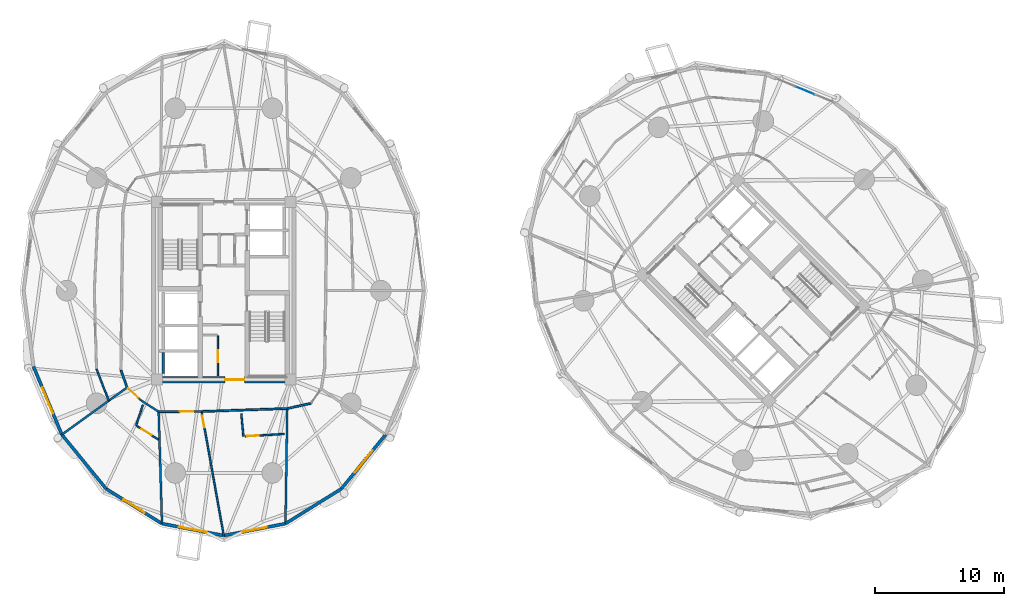
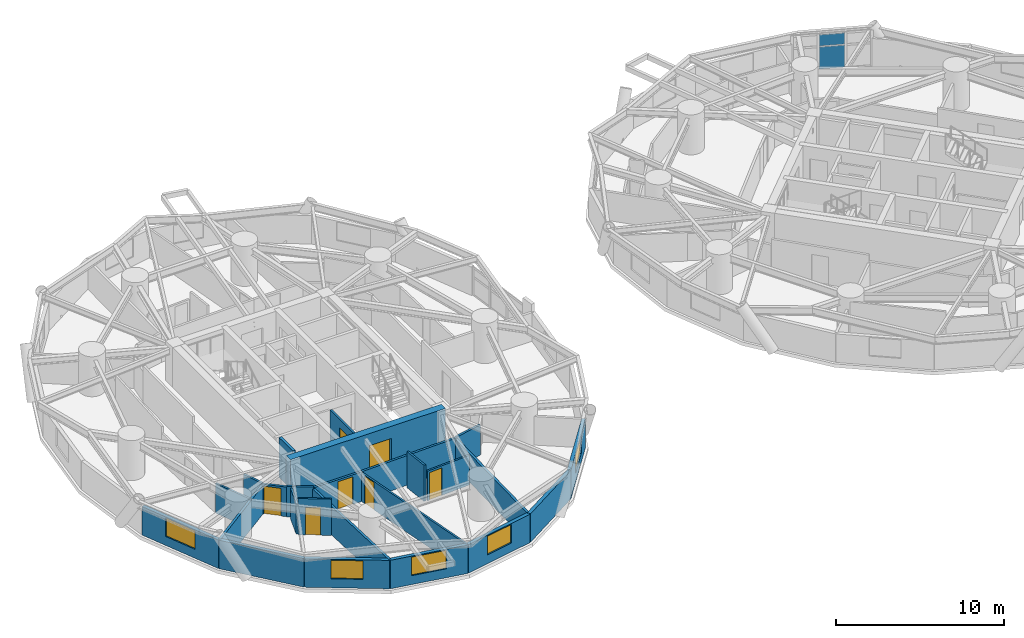
# One storey, part 9 of 18: 25 walls, 7 doors, 5 windows, 2 plates, 12 openings, 1 element without a shape of its own.
"""IFC4 building model written with IfcOpenShell, lengths in metres."""

from ifc_helpers import new_model, si_unit, direction, frame, frame_2d, origin, origin_2d, place, context, subcontext, project, spatial, rectangle, extrude, source, transform, mapped, material, layer, layer_set, type_object, element, fill, aggregate, save


model = new_model("IFC4")

# Units and contexts
model_context = context("Model", 3, precision=1e-05, world=origin(), true_north=direction((0.0, 1.0)))
body_context = subcontext(model_context, "Body", "Model", "MODEL_VIEW")
ifc_project = project(units=[si_unit("LENGTHUNIT", "METRE"), si_unit("AREAUNIT", "SQUARE_METRE"), si_unit("VOLUMEUNIT", "CUBIC_METRE"), si_unit("PLANEANGLEUNIT", "RADIAN"), si_unit("MASSUNIT", "GRAM", prefix="KILO")], contexts=[model_context])

# Site, building, storey
site_placement = place(None, origin())
site = spatial("IfcSite", under=ifc_project, at=site_placement, CompositionType="ELEMENT")
building_placement = place(site_placement, origin())
building = spatial("IfcBuilding", under=site, at=building_placement, Name="Cununo Teusaquillo Station Towers", CompositionType="ELEMENT")
storey_placement = place(building_placement, frame((0.0, 0.0, 45.280029296875)))
storey = spatial("IfcBuildingStorey", under=building, at=storey_placement, Name="L13", CompositionType="ELEMENT", Elevation=45.280029296875)

# Curtain wall, plates
ifc_material_1 = material(Name="Operable acoustic tinted low-E double glazing", Category="glass")
ifc_layer_1 = layer(ifc_material_1, 0.179931640625)
ifc_layer_set_1 = layer_set([ifc_layer_1], Name="Operable acoustic tinted low-E double glazing")
curtain_wall_type = type_object("IfcCurtainWallType", Name="CW-SYS-03", PredefinedType="USERDEFINED", material=ifc_layer_set_1)
curtain_wall_placement = place(storey_placement, origin())
curtain_wall = element("IfcCurtainWall", 1, at=curtain_wall_placement, inside=storey, type_object=curtain_wall_type, Name="L13 Tower B Facade Curtain Wall C01", ObjectType="OPERABLE GLAZING", PredefinedType="USERDEFINED")
ifc_material_2 = material(Name="Operable acoustic tinted low-E double glazing", Category="glass")
ifc_layer_2 = layer(ifc_material_2, 0.031982421875)
ifc_layer_set_2 = layer_set([ifc_layer_2], Name="Operable acoustic tinted low-E double glazing")
plate_type = type_object("IfcPlateType", Name="CWP-OPER-32", PredefinedType="CURTAIN_PANEL", material=ifc_layer_set_2)
shared_shape_1 = source(origin(), body_context, "Body", "SweptSolid", [
    extrude(rectangle(XDim=1.555908203125, YDim=0.031982421875, at=origin_2d()), origin(), (0.0, 0.0, 1.0), 1.60791015625),
])
plate_1_placement = place(storey_placement, frame((61.52294921875, 39.99755859375, 0.070068359375), z_axis=(0.0, 0.0, 1.0), x_axis=(0.924552379146, -0.381054980568, 0.0)))
plate_1 = element("IfcPlate", 2, at=plate_1_placement, type_object=plate_type, Name="CW-03 panel 2.1", PredefinedType="CURTAIN_PANEL", context=body_context, shape_type="MappedRepresentation", body=[
    mapped(shared_shape_1, transform((0.0, 0.0, 0.0), x_axis=(1.0, 0.0, 0.0), y_axis=(0.0, 1.0, 0.0), z_axis=(0.0, 0.0, 1.0), scale=1.0)),
])
shared_shape_2 = source(origin(), body_context, "Body", "SweptSolid", [
    extrude(rectangle(XDim=1.555908203125, YDim=0.031982421875, at=origin_2d()), origin(), (0.0, 0.0, 1.0), 0.81689453125),
])
plate_2_placement = place(storey_placement, frame((61.52294921875, 39.99755859375, 1.748046875), z_axis=(0.0, 0.0, 1.0), x_axis=(0.924552379146, -0.381054980568, 0.0)))
plate_2 = element("IfcPlate", 3, at=plate_2_placement, type_object=plate_type, Name="CW-03 panel 2.2", PredefinedType="CURTAIN_PANEL", context=body_context, shape_type="MappedRepresentation", body=[
    mapped(shared_shape_2, transform((0.0, 0.0, 0.0), x_axis=(1.0, 0.0, 0.0), y_axis=(0.0, 1.0, 0.0), z_axis=(0.0, 0.0, 1.0), scale=1.0)),
])
aggregate(curtain_wall, [plate_1, plate_2])

# Wall
ifc_material_3 = material(Name="Concrete C50/60", Category="concrete")
ifc_layer_3 = layer(ifc_material_3, 0.199951171875)
ifc_layer_set_3 = layer_set([ifc_layer_3], Name="Concrete C50/60")
wall_type_1 = type_object("IfcWallType", Name="WL-CORE-200", PredefinedType="SHEAR", material=ifc_layer_set_3)
wall_1_placement = place(storey_placement, frame((11.820068359375, 18.070068359375, 0.0), z_axis=(0.0, 0.0, 1.0), x_axis=(0.0, 1.0, 0.0)))
element("IfcWall", 4, at=wall_1_placement, inside=storey, type_object=wall_type_1, Name="L13 Tower A High-Rise Lift 1 Shaft Rear Shear Wall", PredefinedType="SHEAR", context=body_context, shape_type="SweptSolid", body=[
    extrude(rectangle(XDim=1.635009765625, YDim=0.199951171875, at=frame_2d((0.8173828125, 0.0))), origin(), (0.0, 0.0, 1.0), 2.909912109375),
])

# Wall, opening, door
ifc_material_4 = material(Name="Concrete C60/75", Category="concrete")
ifc_layer_4 = layer(ifc_material_4, 0.5)
ifc_layer_set_4 = layer_set([ifc_layer_4], Name="Concrete C60/75")
wall_type_2 = type_object("IfcWallType", Name="WL-CORE-500", PredefinedType="SHEAR", material=ifc_layer_set_4)
wall_2_placement = place(storey_placement, frame((11.14990234375, 17.60009765625, 0.0), z_axis=(0.0, 0.0, 1.0), x_axis=(1.0, 0.0, 0.0)))
wall_2 = element("IfcWall", 5, at=wall_2_placement, inside=storey, type_object=wall_type_2, Name="L13 Tower A Core Shear Wall S", PredefinedType="SHEAR", context=body_context, shape_type="SweptSolid", body=[
    extrude(rectangle(XDim=10.7001953125, YDim=0.5, at=frame_2d((5.35009765625, 0.0))), origin(), (0.0, 0.0, 1.0), 2.909912109375),
])
shared_shape_3 = source(origin(), body_context, "Body", "SweptSolid", [
    extrude(rectangle(XDim=1.5, YDim=2.02001953125, at=frame_2d((0.75, 1.010009765625))), frame((0.0, 0.260009765625, 0.0), z_axis=(0.0, -1.0, 0.0), x_axis=(1.0, 0.0, 0.0)), (0.0, 0.0, 1.0), 0.52001953125),
])
opening_1_placement = place(wall_2_placement, frame((5.449951171875, 0.0, 0.0)))
opening_1 = element("IfcOpeningElement", 6, at=opening_1_placement, cuts=wall_2, Name="Opening D-LB1", PredefinedType="OPENING", context=body_context, shape_type="MappedRepresentation", body=[
    mapped(shared_shape_3, transform((0.0, 0.0, 0.0), x_axis=(1.0, 0.0, 0.0), y_axis=(0.0, 1.0, 0.0), z_axis=(0.0, 0.0, 1.0), scale=1.0)),
])
ifc_material_5 = material(Name="Galvanised fire-rated hollow steel door assembly", Category="steel")
door_type_1 = type_object("IfcDoorType", Name="DR-LOBBY-1500", OperationType="DOUBLE_DOOR_SINGLE_SWING", PredefinedType="DOOR", material=ifc_material_5)
shared_shape_4 = source(origin(), body_context, "Body", "SweptSolid", [
    extrude(rectangle(XDim=1.5, YDim=2.02001953125, at=frame_2d((0.75, 1.010009765625))), frame((0.0, 0.02490234375, 0.0), z_axis=(0.0, -1.0, 0.0), x_axis=(1.0, 0.0, 0.0)), (0.0, 0.0, 1.0), 0.050048828125),
])
door_1_placement = place(opening_1_placement, origin())
door_1 = element("IfcDoor", 7, at=door_1_placement, inside=storey, type_object=door_type_1, Name="L13 Tower A South Core Lift Lobby Door", OperationType="DOUBLE_DOOR_SINGLE_SWING", OverallHeight=2.02001953125, OverallWidth=1.5, PredefinedType="DOOR", context=body_context, shape_type="MappedRepresentation", body=[
    mapped(shared_shape_4, transform((0.0, 0.0, 0.0), x_axis=(1.0, 0.0, 0.0), y_axis=(0.0, 1.0, 0.0), z_axis=(0.0, 0.0, 1.0), scale=1.0)),
])
fill(opening_1, door_1)

# Wall, opening, window
ifc_material_6 = material(Name="Precast concrete C40/50", Category="concrete")
ifc_layer_5 = layer(ifc_material_6, 0.239990234375)
ifc_layer_set_5 = layer_set([ifc_layer_5], Name="Precast concrete C40/50")
wall_type_3 = type_object("IfcWallType", Name="WL-EXT-240", PredefinedType="SOLIDWALL", material=ifc_layer_set_5)
wall_3_placement = place(storey_placement, frame((3.9609375, 13.349609375, 0.0), z_axis=(0.0, 0.0, 1.0), x_axis=(-0.38430970593, 0.923204229804, 0.0)))
wall_3 = element("IfcWall", 8, at=wall_3_placement, inside=storey, type_object=wall_type_3, Name="L13 Tower A Exterior Facade Wall C11", PredefinedType="SOLIDWALL", context=body_context, shape_type="SweptSolid", body=[
    extrude(rectangle(XDim=5.728271484375, YDim=0.239990234375, at=frame_2d((2.8642578125, 0.0))), origin(), (0.0, 0.0, 1.0), 2.072998046875),
])
shared_shape_5 = source(origin(), body_context, "Body", "SweptSolid", [
    extrude(rectangle(XDim=2.199951171875, YDim=1.35009765625, at=frame_2d((1.10009765625, 0.675048828125))), frame((0.0, 0.1298828125, 0.0), z_axis=(0.0, -1.0, 0.0), x_axis=(1.0, 0.0, 0.0)), (0.0, 0.0, 1.0), 0.260009765625),
])
opening_2_placement = place(wall_3_placement, frame((1.763916015625, 0.0, 0.64990234375)))
opening_2 = element("IfcOpeningElement", 9, at=opening_2_placement, cuts=wall_3, Name="Opening WN-01", PredefinedType="OPENING", context=body_context, shape_type="MappedRepresentation", body=[
    mapped(shared_shape_5, transform((0.0, 0.0, 0.0), x_axis=(1.0, 0.0, 0.0), y_axis=(0.0, 1.0, 0.0), z_axis=(0.0, 0.0, 1.0), scale=1.0)),
])
ifc_material_7 = material(Name="Ceramic-fritted dark low-E double glazing", Category="glass")
window_type_1 = type_object("IfcWindowType", Name="WIN-FRIT-2200", PartitioningType="DOUBLE_PANEL_VERTICAL", PredefinedType="WINDOW", material=ifc_material_7)
shared_shape_6 = source(origin(), body_context, "Body", "SweptSolid", [
    extrude(rectangle(XDim=2.199951171875, YDim=1.35009765625, at=frame_2d((1.10009765625, 0.675048828125))), frame((0.0, 0.030029296875, 0.0), z_axis=(0.0, -1.0, 0.0), x_axis=(1.0, 0.0, 0.0)), (0.0, 0.0, 1.0), 0.06005859375),
])
window_1_placement = place(opening_2_placement, origin())
window_1 = element("IfcWindow", 10, at=window_1_placement, inside=storey, type_object=window_type_1, Name="L13 Tower A Facade Window C11", OverallHeight=1.35009765625, OverallWidth=2.199951171875, PartitioningType="DOUBLE_PANEL_VERTICAL", PredefinedType="WINDOW", context=body_context, shape_type="MappedRepresentation", body=[
    mapped(shared_shape_6, transform((0.0, 0.0, 0.0), x_axis=(1.0, 0.0, 0.0), y_axis=(0.0, 1.0, 0.0), z_axis=(0.0, 0.0, 1.0), scale=1.0)),
])
fill(opening_2, window_1)

# Wall
wall_4_placement = place(storey_placement, frame((7.389892578125, 9.15283203125, 0.0), z_axis=(0.0, 0.0, 1.0), x_axis=(-0.632710215588, 0.774388651189, 0.0)))
element("IfcWall", 11, at=wall_4_placement, inside=storey, type_object=wall_type_3, Name="L13 Tower A Exterior Facade Wall C12", PredefinedType="SOLIDWALL", context=body_context, shape_type="SweptSolid", body=[
    extrude(rectangle(XDim=5.41943359375, YDim=0.239990234375, at=frame_2d((2.709716796875, 0.0))), origin(), (0.0, 0.0, 1.0), 2.072998046875),
])

# Wall, opening, window
wall_5_placement = place(storey_placement, frame((11.71044921875, 6.45849609375, 0.0), z_axis=(0.0, 0.0, 1.0), x_axis=(-0.848528534887, 0.529149624853, 0.0)))
wall_5 = element("IfcWall", 12, at=wall_5_placement, inside=storey, type_object=wall_type_3, Name="L13 Tower A Exterior Facade Wall C13", PredefinedType="SOLIDWALL", context=body_context, shape_type="SweptSolid", body=[
    extrude(rectangle(XDim=5.091796875, YDim=0.239990234375, at=frame_2d((2.5458984375, 0.0))), origin(), (0.0, 0.0, 1.0), 2.072998046875),
])
shared_shape_7 = source(origin(), body_context, "Body", "SweptSolid", [
    extrude(rectangle(XDim=1.89990234375, YDim=1.35009765625, at=frame_2d((0.949951171875, 0.675048828125))), frame((0.0, 0.1298828125, 0.0), z_axis=(0.0, -1.0, 0.0), x_axis=(1.0, 0.0, 0.0)), (0.0, 0.0, 1.0), 0.260009765625),
])
opening_3_placement = place(wall_5_placement, frame((1.595947265625, 0.0, 0.64990234375)))
opening_3 = element("IfcOpeningElement", 13, at=opening_3_placement, cuts=wall_5, Name="Opening WN-02", PredefinedType="OPENING", context=body_context, shape_type="MappedRepresentation", body=[
    mapped(shared_shape_7, transform((0.0, 0.0, 0.0), x_axis=(1.0, 0.0, 0.0), y_axis=(0.0, 1.0, 0.0), z_axis=(0.0, 0.0, 1.0), scale=1.0)),
])
ifc_material_8 = material(Name="Operable acoustic tinted low-E double glazing", Category="glass")
window_type_2 = type_object("IfcWindowType", Name="WIN-OPER-1900", PartitioningType="DOUBLE_PANEL_VERTICAL", PredefinedType="WINDOW", material=ifc_material_8)
shared_shape_8 = source(origin(), body_context, "Body", "SweptSolid", [
    extrude(rectangle(XDim=1.89990234375, YDim=1.35009765625, at=frame_2d((0.949951171875, 0.675048828125))), frame((0.0, 0.030029296875, 0.0), z_axis=(0.0, -1.0, 0.0), x_axis=(1.0, 0.0, 0.0)), (0.0, 0.0, 1.0), 0.06005859375),
])
window_2_placement = place(opening_3_placement, origin())
window_2 = element("IfcWindow", 14, at=window_2_placement, inside=storey, type_object=window_type_2, Name="L13 Tower A Facade Window C13", OverallHeight=1.35009765625, OverallWidth=1.89990234375, PartitioningType="DOUBLE_PANEL_VERTICAL", PredefinedType="WINDOW", context=body_context, shape_type="MappedRepresentation", body=[
    mapped(shared_shape_8, transform((0.0, 0.0, 0.0), x_axis=(1.0, 0.0, 0.0), y_axis=(0.0, 1.0, 0.0), z_axis=(0.0, 0.0, 1.0), scale=1.0)),
])
fill(opening_3, window_2)

wall_6_placement = place(storey_placement, frame((16.5, 5.530029296875, 0.0), z_axis=(0.0, 0.0, 1.0), x_axis=(-0.981724094622, 0.190309752872, 0.0)))
wall_6 = element("IfcWall", 15, at=wall_6_placement, inside=storey, type_object=wall_type_3, Name="L13 Tower A Exterior Facade Wall C14", PredefinedType="SOLIDWALL", context=body_context, shape_type="SweptSolid", body=[
    extrude(rectangle(XDim=4.878662109375, YDim=0.239990234375, at=frame_2d((2.439453125, 0.0))), origin(), (0.0, 0.0, 1.0), 2.072998046875),
])
opening_4_placement = place(wall_6_placement, frame((1.339111328125, 0.0, 0.64990234375)))
opening_4 = element("IfcOpeningElement", 16, at=opening_4_placement, cuts=wall_6, Name="Opening WN-01", PredefinedType="OPENING", context=body_context, shape_type="MappedRepresentation", body=[
    mapped(shared_shape_5, transform((0.0, 0.0, 0.0), x_axis=(1.0, 0.0, 0.0), y_axis=(0.0, 1.0, 0.0), z_axis=(0.0, 0.0, 1.0), scale=1.0)),
])
window_3_placement = place(opening_4_placement, origin())
window_3 = element("IfcWindow", 17, at=window_3_placement, inside=storey, type_object=window_type_1, Name="L13 Tower A Facade Window C14", OverallHeight=1.35009765625, OverallWidth=2.199951171875, PartitioningType="DOUBLE_PANEL_VERTICAL", PredefinedType="WINDOW", context=body_context, shape_type="MappedRepresentation", body=[
    mapped(shared_shape_6, transform((0.0, 0.0, 0.0), x_axis=(1.0, 0.0, 0.0), y_axis=(0.0, 1.0, 0.0), z_axis=(0.0, 0.0, 1.0), scale=1.0)),
])
fill(opening_4, window_3)

wall_7_placement = place(storey_placement, frame((21.28955078125, 6.45849609375, 0.0), z_axis=(0.0, 0.0, 1.0), x_axis=(-0.981724094622, -0.190309752872, 0.0)))
wall_7 = element("IfcWall", 18, at=wall_7_placement, inside=storey, type_object=wall_type_3, Name="L13 Tower A Exterior Facade Wall C15", PredefinedType="SOLIDWALL", context=body_context, shape_type="SweptSolid", body=[
    extrude(rectangle(XDim=4.878662109375, YDim=0.239990234375, at=frame_2d((2.439453125, 0.0))), origin(), (0.0, 0.0, 1.0), 2.072998046875),
])
opening_5_placement = place(wall_7_placement, frame((1.489013671875, 0.0, 0.64990234375)))
opening_5 = element("IfcOpeningElement", 19, at=opening_5_placement, cuts=wall_7, Name="Opening WN-02", PredefinedType="OPENING", context=body_context, shape_type="MappedRepresentation", body=[
    mapped(shared_shape_7, transform((0.0, 0.0, 0.0), x_axis=(1.0, 0.0, 0.0), y_axis=(0.0, 1.0, 0.0), z_axis=(0.0, 0.0, 1.0), scale=1.0)),
])
window_4_placement = place(opening_5_placement, origin())
window_4 = element("IfcWindow", 20, at=window_4_placement, inside=storey, type_object=window_type_2, Name="L13 Tower A Facade Window C15", OverallHeight=1.35009765625, OverallWidth=1.89990234375, PartitioningType="DOUBLE_PANEL_VERTICAL", PredefinedType="WINDOW", context=body_context, shape_type="MappedRepresentation", body=[
    mapped(shared_shape_8, transform((0.0, 0.0, 0.0), x_axis=(1.0, 0.0, 0.0), y_axis=(0.0, 1.0, 0.0), z_axis=(0.0, 0.0, 1.0), scale=1.0)),
])
fill(opening_5, window_4)

# Wall
wall_8_placement = place(storey_placement, frame((25.610107421875, 9.15283203125, 0.0), z_axis=(0.0, 0.0, 1.0), x_axis=(-0.848528534887, -0.529149624853, 0.0)))
element("IfcWall", 21, at=wall_8_placement, inside=storey, type_object=wall_type_3, Name="L13 Tower A Exterior Facade Wall C16", PredefinedType="SOLIDWALL", context=body_context, shape_type="SweptSolid", body=[
    extrude(rectangle(XDim=5.091796875, YDim=0.239990234375, at=frame_2d((2.5458984375, 0.0))), origin(), (0.0, 0.0, 1.0), 2.072998046875),
])

# Wall, opening, window
wall_9_placement = place(storey_placement, frame((29.0390625, 13.349609375, 0.0), z_axis=(0.0, 0.0, 1.0), x_axis=(-0.632710215588, -0.774388651189, 0.0)))
wall_9 = element("IfcWall", 22, at=wall_9_placement, inside=storey, type_object=wall_type_3, Name="L13 Tower A Exterior Facade Wall C17", PredefinedType="SOLIDWALL", context=body_context, shape_type="SweptSolid", body=[
    extrude(rectangle(XDim=5.41943359375, YDim=0.239990234375, at=frame_2d((2.709716796875, 0.0))), origin(), (0.0, 0.0, 1.0), 2.072998046875),
])
opening_6_placement = place(wall_9_placement, frame((1.610107421875, 0.0, 0.64990234375)))
opening_6 = element("IfcOpeningElement", 23, at=opening_6_placement, cuts=wall_9, Name="Opening WN-01", PredefinedType="OPENING", context=body_context, shape_type="MappedRepresentation", body=[
    mapped(shared_shape_5, transform((0.0, 0.0, 0.0), x_axis=(1.0, 0.0, 0.0), y_axis=(0.0, 1.0, 0.0), z_axis=(0.0, 0.0, 1.0), scale=1.0)),
])
window_5_placement = place(opening_6_placement, origin())
window_5 = element("IfcWindow", 24, at=window_5_placement, inside=storey, type_object=window_type_1, Name="L13 Tower A Facade Window C17", OverallHeight=1.35009765625, OverallWidth=2.199951171875, PartitioningType="DOUBLE_PANEL_VERTICAL", PredefinedType="WINDOW", context=body_context, shape_type="MappedRepresentation", body=[
    mapped(shared_shape_6, transform((0.0, 0.0, 0.0), x_axis=(1.0, 0.0, 0.0), y_axis=(0.0, 1.0, 0.0), z_axis=(0.0, 0.0, 1.0), scale=1.0)),
])
fill(opening_6, window_5)

# Wall, opening, door
ifc_material_9 = material(Name="Fire-rated gypsum plasterboard partition assembly", Category="gypsum")
ifc_layer_6 = layer(ifc_material_9, 0.125)
ifc_layer_set_6 = layer_set([ifc_layer_6], Name="Fire-rated gypsum plasterboard partition assembly")
wall_type_4 = type_object("IfcWallType", Name="WL-PART-125", PredefinedType="PARTITIONING", material=ifc_layer_set_6)
wall_10_placement = place(storey_placement, frame((16.050048828125, 17.919921875, 0.0), z_axis=(0.0, 0.0, 1.0), x_axis=(0.0, 1.0, 0.0)))
wall_10 = element("IfcWall", 25, at=wall_10_placement, inside=storey, type_object=wall_type_4, Name="L13 Tower A South-West Tall Store East Wall", PredefinedType="PARTITIONING", context=body_context, shape_type="SweptSolid", body=[
    extrude(rectangle(XDim=3.080078125, YDim=0.125, at=frame_2d((1.5400390625, 0.0))), origin(), (0.0, 0.0, 1.0), 2.635009765625),
])
shared_shape_9 = source(origin(), body_context, "Body", "SweptSolid", [
    extrude(rectangle(XDim=0.89990234375, YDim=2.0048828125, at=frame_2d((0.449951171875, 1.00244140625))), frame((0.0, 0.072509765625, 0.0), z_axis=(0.0, -1.0, 0.0), x_axis=(1.0, 0.0, 0.0)), (0.0, 0.0, 1.0), 0.14501953125),
])
opening_7_placement = place(wall_10_placement, frame((1.050048828125, 0.0, 0.0)))
opening_7 = element("IfcOpeningElement", 26, at=opening_7_placement, cuts=wall_10, Name="Opening D-SR1", PredefinedType="OPENING", context=body_context, shape_type="MappedRepresentation", body=[
    mapped(shared_shape_9, transform((0.0, 0.0, 0.0), x_axis=(1.0, 0.0, 0.0), y_axis=(0.0, 1.0, 0.0), z_axis=(0.0, 0.0, 1.0), scale=1.0)),
])
ifc_material_10 = material(Name="Galvanised fire-rated hollow steel door assembly", Category="steel")
door_type_2 = type_object("IfcDoorType", Name="DR-STORE-900", OperationType="NOTDEFINED", PredefinedType="DOOR", material=ifc_material_10)
shared_shape_10 = source(origin(), body_context, "Body", "SweptSolid", [
    extrude(rectangle(XDim=0.89990234375, YDim=2.0048828125, at=frame_2d((0.449951171875, 1.00244140625))), frame((0.0, 0.02490234375, 0.0), z_axis=(0.0, -1.0, 0.0), x_axis=(1.0, 0.0, 0.0)), (0.0, 0.0, 1.0), 0.050048828125),
])
door_2_placement = place(opening_7_placement, origin())
door_2 = element("IfcDoor", 27, at=door_2_placement, inside=storey, type_object=door_type_2, Name="L13 Tower A South Cleaners Store Door", OperationType="SINGLE_SWING_RIGHT", OverallHeight=2.0048828125, OverallWidth=0.89990234375, PredefinedType="DOOR", context=body_context, shape_type="MappedRepresentation", body=[
    mapped(shared_shape_10, transform((0.0, 0.0, 0.0), x_axis=(1.0, 0.0, 0.0), y_axis=(0.0, 1.0, 0.0), z_axis=(0.0, 0.0, 1.0), scale=1.0)),
])
fill(opening_7, door_2)

# Walls
wall_11_placement = place(storey_placement, frame((6.6455078125, 18.423828125, 0.0), z_axis=(0.0, 0.0, 1.0), x_axis=(0.363782486735, -0.931483924899, 0.0)))
element("IfcWall", 28, at=wall_11_placement, inside=storey, type_object=wall_type_4, Name="L13 Tower A Hotel Hydrotherapy Wellness Spa Concentric Partition Wall C11", PredefinedType="PARTITIONING", context=body_context, shape_type="SweptSolid", body=[
    extrude(rectangle(XDim=2.626708984375, YDim=0.125, at=frame_2d((1.3134765625, 0.0))), origin(), (0.0, 0.0, 1.0), 2.158935546875),
])
wall_12_placement = place(storey_placement, frame((10.23486328125, 15.651123046875, 0.0), z_axis=(0.0, 0.0, 1.0), x_axis=(-0.309082792716, -0.951035134602, 0.0)))
element("IfcWall", 29, at=wall_12_placement, inside=storey, type_object=wall_type_4, Name="L13 Tower A S05 En-suite Side Wall", PredefinedType="PARTITIONING", context=body_context, shape_type="SweptSolid", body=[
    extrude(rectangle(XDim=1.683349609375, YDim=0.125, at=frame_2d((0.841796875, 0.0))), origin(), (0.0, 0.0, 1.0), 2.205078125),
])

# Wall, opening, door
wall_13_placement = place(storey_placement, frame((9.76708984375, 14.01708984375, 0.0), z_axis=(0.0, 0.0, 1.0), x_axis=(0.846347510567, -0.532631102506, 0.0)))
wall_13 = element("IfcWall", 30, at=wall_13_placement, inside=storey, type_object=wall_type_4, Name="L13 Tower A S05 En-suite Back Wall", PredefinedType="PARTITIONING", context=body_context, shape_type="SweptSolid", body=[
    extrude(rectangle(XDim=1.99072265625, YDim=0.125, at=frame_2d((0.995361328125, 0.0))), origin(), (0.0, 0.0, 1.0), 2.635009765625),
])
opening_8_placement = place(wall_13_placement, frame((0.43896484375, 0.0, 0.0)))
opening_8 = element("IfcOpeningElement", 31, at=opening_8_placement, cuts=wall_13, Name="Opening D-IN1", PredefinedType="OPENING", context=body_context, shape_type="MappedRepresentation", body=[
    mapped(shared_shape_9, transform((0.0, 0.0, 0.0), x_axis=(1.0, 0.0, 0.0), y_axis=(0.0, 1.0, 0.0), z_axis=(0.0, 0.0, 1.0), scale=1.0)),
])
ifc_material_11 = material(Name="Acoustic solid-core hardwood leaf assembly", Category="wood")
door_type_3 = type_object("IfcDoorType", Name="DR-INT-900", OperationType="NOTDEFINED", PredefinedType="DOOR", material=ifc_material_11)
door_3_placement = place(opening_8_placement, origin())
door_3 = element("IfcDoor", 32, at=door_3_placement, inside=storey, type_object=door_type_3, Name="L13 Tower A S05 En-suite Bathroom Door", OperationType="SINGLE_SWING_RIGHT", OverallHeight=2.0048828125, OverallWidth=0.89990234375, PredefinedType="DOOR", context=body_context, shape_type="MappedRepresentation", body=[
    mapped(shared_shape_10, transform((0.0, 0.0, 0.0), x_axis=(1.0, 0.0, 0.0), y_axis=(0.0, 1.0, 0.0), z_axis=(0.0, 0.0, 1.0), scale=1.0)),
])
fill(opening_8, door_3)

wall_14_placement = place(storey_placement, frame((14.781005859375, 15.140625, 0.0), z_axis=(0.0, 0.0, 1.0), x_axis=(0.176426287524, -0.984313854962, 0.0)))
wall_14 = element("IfcWall", 33, at=wall_14_placement, inside=storey, type_object=wall_type_4, Name="L13 Tower A Governor Hospitality Suite Suite Subdividing Wall", PredefinedType="PARTITIONING", context=body_context, shape_type="SweptSolid", body=[
    extrude(rectangle(XDim=9.743408203125, YDim=0.125, at=frame_2d((4.87158203125, 0.0))), origin(), (0.0, 0.0, 1.0), 2.072998046875),
])
opening_9_placement = place(wall_14_placement, frame((0.330078125, 0.0, 0.0)))
opening_9 = element("IfcOpeningElement", 34, at=opening_9_placement, cuts=wall_14, Name="Opening D-IN1", PredefinedType="OPENING", context=body_context, shape_type="MappedRepresentation", body=[
    mapped(shared_shape_9, transform((0.0, 0.0, 0.0), x_axis=(1.0, 0.0, 0.0), y_axis=(0.0, 1.0, 0.0), z_axis=(0.0, 0.0, 1.0), scale=1.0)),
])
door_4_placement = place(opening_9_placement, origin())
door_4 = element("IfcDoor", 35, at=door_4_placement, inside=storey, type_object=door_type_3, Name="L13 Tower A Governor Hospitality Suite Suite Connecting Door", OperationType="SINGLE_SWING_RIGHT", OverallHeight=2.0048828125, OverallWidth=0.89990234375, PredefinedType="DOOR", context=body_context, shape_type="MappedRepresentation", body=[
    mapped(shared_shape_10, transform((0.0, 0.0, 0.0), x_axis=(1.0, 0.0, 0.0), y_axis=(0.0, 1.0, 0.0), z_axis=(0.0, 0.0, 1.0), scale=1.0)),
])
fill(opening_9, door_4)

# Wall
wall_15_placement = place(storey_placement, frame((17.8603515625, 14.967529296875, 0.0), z_axis=(0.0, 0.0, 1.0), x_axis=(0.093037102593, -0.995662642435, 0.0)))
element("IfcWall", 36, at=wall_15_placement, inside=storey, type_object=wall_type_4, Name="L13 Tower A S06 En-suite Side Wall", PredefinedType="PARTITIONING", context=body_context, shape_type="SweptSolid", body=[
    extrude(rectangle(XDim=1.7685546875, YDim=0.125, at=frame_2d((0.88427734375, 0.0))), origin(), (0.0, 0.0, 1.0), 2.635009765625),
])

# Wall, opening, door
wall_16_placement = place(storey_placement, frame((18.1806640625, 13.216064453125, 0.0), z_axis=(0.0, 0.0, 1.0), x_axis=(0.998120468621, 0.061282380177, 0.0)))
wall_16 = element("IfcWall", 37, at=wall_16_placement, inside=storey, type_object=wall_type_4, Name="L13 Tower A S06 En-suite Back Wall", PredefinedType="PARTITIONING", context=body_context, shape_type="SweptSolid", body=[
    extrude(rectangle(XDim=2.995849609375, YDim=0.125, at=frame_2d((1.498046875, 0.0))), origin(), (0.0, 0.0, 1.0), 2.158935546875),
])
opening_10_placement = place(wall_16_placement, frame((0.1201171875, 0.0, 0.0)))
opening_10 = element("IfcOpeningElement", 38, at=opening_10_placement, cuts=wall_16, Name="Opening D-IN1", PredefinedType="OPENING", context=body_context, shape_type="MappedRepresentation", body=[
    mapped(shared_shape_9, transform((0.0, 0.0, 0.0), x_axis=(1.0, 0.0, 0.0), y_axis=(0.0, 1.0, 0.0), z_axis=(0.0, 0.0, 1.0), scale=1.0)),
])
door_5_placement = place(opening_10_placement, origin())
door_5 = element("IfcDoor", 39, at=door_5_placement, inside=storey, type_object=door_type_3, Name="L13 Tower A S06 En-suite Bathroom Door", OperationType="SINGLE_SWING_LEFT", OverallHeight=2.0048828125, OverallWidth=0.89990234375, PredefinedType="DOOR", context=body_context, shape_type="MappedRepresentation", body=[
    mapped(shared_shape_10, transform((0.0, 0.0, 0.0), x_axis=(1.0, 0.0, 0.0), y_axis=(0.0, 1.0, 0.0), z_axis=(0.0, 0.0, 1.0), scale=1.0)),
])
fill(opening_10, door_5)

# Wall
ifc_material_12 = material(Name="Fire-rated gypsum plasterboard partition assembly", Category="gypsum")
ifc_layer_7 = layer(ifc_material_12, 0.14990234375)
ifc_layer_set_7 = layer_set([ifc_layer_7], Name="Fire-rated gypsum plasterboard partition assembly")
wall_type_5 = type_object("IfcWallType", Name="WL-PART-150", PredefinedType="PARTITIONING", material=ifc_layer_set_7)
wall_17_placement = place(storey_placement, frame((8.538330078125, 18.338134765625, 0.0), z_axis=(0.0, 0.0, 1.0), x_axis=(0.331358150167, -0.94350504838, 0.0)))
element("IfcWall", 40, at=wall_17_placement, inside=storey, type_object=wall_type_5, Name="L13 Tower A Corridor Ring Wall C11", PredefinedType="PARTITIONING", context=body_context, shape_type="SweptSolid", body=[
    extrude(rectangle(XDim=1.42431640625, YDim=0.14990234375, at=frame_2d((0.712158203125, 0.0))), origin(), (0.0, 0.0, 1.0), 2.205078125),
])

# Wall, opening, door
wall_18_placement = place(storey_placement, frame((9.01025390625, 16.994384765625, 0.0), z_axis=(0.0, 0.0, 1.0), x_axis=(0.737701798986, -0.67512669609, 0.0)))
wall_18 = element("IfcWall", 41, at=wall_18_placement, inside=storey, type_object=wall_type_5, Name="L13 Tower A Corridor Ring Wall C12", PredefinedType="PARTITIONING", context=body_context, shape_type="SweptSolid", body=[
    extrude(rectangle(XDim=1.498291015625, YDim=0.14990234375, at=frame_2d((0.7490234375, 0.0))), origin(), (0.0, 0.0, 1.0), 2.158935546875),
])
shared_shape_11 = source(origin(), body_context, "Body", "SweptSolid", [
    extrude(rectangle(XDim=1.050048828125, YDim=2.014892578125, at=frame_2d((0.52490234375, 1.00732421875))), frame((0.0, 0.0849609375, 0.0), z_axis=(0.0, -1.0, 0.0), x_axis=(1.0, 0.0, 0.0)), (0.0, 0.0, 1.0), 0.169921875),
])
opening_11_placement = place(wall_18_placement, frame((0.1201171875, 0.0, 0.0)))
opening_11 = element("IfcOpeningElement", 42, at=opening_11_placement, cuts=wall_18, Name="Opening D-SU1", PredefinedType="OPENING", context=body_context, shape_type="MappedRepresentation", body=[
    mapped(shared_shape_11, transform((0.0, 0.0, 0.0), x_axis=(1.0, 0.0, 0.0), y_axis=(0.0, 1.0, 0.0), z_axis=(0.0, 0.0, 1.0), scale=1.0)),
])
ifc_material_13 = material(Name="Acoustic solid-core hardwood leaf assembly", Category="wood")
door_type_4 = type_object("IfcDoorType", Name="DR-SUITE-1050", OperationType="NOTDEFINED", PredefinedType="DOOR", material=ifc_material_13)
shared_shape_12 = source(origin(), body_context, "Body", "SweptSolid", [
    extrude(rectangle(XDim=1.050048828125, YDim=2.014892578125, at=frame_2d((0.52490234375, 1.00732421875))), frame((0.0, 0.02490234375, 0.0), z_axis=(0.0, -1.0, 0.0), x_axis=(1.0, 0.0, 0.0)), (0.0, 0.0, 1.0), 0.050048828125),
])
door_6_placement = place(opening_11_placement, origin())
door_6 = element("IfcDoor", 43, at=door_6_placement, inside=storey, type_object=door_type_4, Name="L13 Tower A Imperial Corner Hotel Suite Entrance Door", OperationType="SINGLE_SWING_LEFT", OverallHeight=2.014892578125, OverallWidth=1.050048828125, PredefinedType="DOOR", context=body_context, shape_type="MappedRepresentation", body=[
    mapped(shared_shape_12, transform((0.0, 0.0, 0.0), x_axis=(1.0, 0.0, 0.0), y_axis=(0.0, 1.0, 0.0), z_axis=(0.0, 0.0, 1.0), scale=1.0)),
])
fill(opening_11, door_6)

# Wall
wall_19_placement = place(storey_placement, frame((10.115478515625, 15.98291015625, 0.0), z_axis=(0.0, 0.0, 1.0), x_axis=(0.843995849351, -0.536349705209, 0.0)))
element("IfcWall", 44, at=wall_19_placement, inside=storey, type_object=wall_type_5, Name="L13 Tower A Corridor Ring Wall C13", PredefinedType="PARTITIONING", context=body_context, shape_type="SweptSolid", body=[
    extrude(rectangle(XDim=1.5927734375, YDim=0.14990234375, at=frame_2d((0.79638671875, 0.0))), origin(), (0.0, 0.0, 1.0), 2.205078125),
])

# Wall, opening, door
wall_20_placement = place(storey_placement, frame((11.459716796875, 15.128662109375, 0.0), z_axis=(0.0, 0.0, 1.0), x_axis=(0.999993513287, 0.003601858435, 0.0)))
wall_20 = element("IfcWall", 45, at=wall_20_placement, inside=storey, type_object=wall_type_5, Name="L13 Tower A Corridor Ring Wall C14", PredefinedType="PARTITIONING", context=body_context, shape_type="SweptSolid", body=[
    extrude(rectangle(XDim=3.3212890625, YDim=0.14990234375, at=frame_2d((1.66064453125, 0.0))), origin(), (0.0, 0.0, 1.0), 2.158935546875),
])
opening_12_placement = place(wall_20_placement, frame((1.643310546875, 0.0, 0.0)))
opening_12 = element("IfcOpeningElement", 46, at=opening_12_placement, cuts=wall_20, Name="Opening D-SU1", PredefinedType="OPENING", context=body_context, shape_type="MappedRepresentation", body=[
    mapped(shared_shape_11, transform((0.0, 0.0, 0.0), x_axis=(1.0, 0.0, 0.0), y_axis=(0.0, 1.0, 0.0), z_axis=(0.0, 0.0, 1.0), scale=1.0)),
])
door_7_placement = place(opening_12_placement, origin())
door_7 = element("IfcDoor", 47, at=door_7_placement, inside=storey, type_object=door_type_4, Name="L13 Tower A Governor Hospitality Suite Entrance Door", OperationType="SINGLE_SWING_LEFT", OverallHeight=2.014892578125, OverallWidth=1.050048828125, PredefinedType="DOOR", context=body_context, shape_type="MappedRepresentation", body=[
    mapped(shared_shape_12, transform((0.0, 0.0, 0.0), x_axis=(1.0, 0.0, 0.0), y_axis=(0.0, 1.0, 0.0), z_axis=(0.0, 0.0, 1.0), scale=1.0)),
])
fill(opening_12, door_7)

# Walls
wall_21_placement = place(storey_placement, frame((14.781005859375, 15.140625, 0.0), z_axis=(0.0, 0.0, 1.0), x_axis=(0.999407918707, 0.034406569513, 0.0)))
element("IfcWall", 48, at=wall_21_placement, inside=storey, type_object=wall_type_5, Name="L13 Tower A Corridor Ring Wall C15", PredefinedType="PARTITIONING", context=body_context, shape_type="SweptSolid", body=[
    extrude(rectangle(XDim=6.6416015625, YDim=0.14990234375, at=frame_2d((3.32080078125, 0.0))), origin(), (0.0, 0.0, 1.0), 2.158935546875),
])
wall_22_placement = place(storey_placement, frame((21.418701171875, 15.369140625, 0.0), z_axis=(0.0, 0.0, 1.0), x_axis=(0.977192701953, 0.212354475464, 0.0)))
element("IfcWall", 49, at=wall_22_placement, inside=storey, type_object=wall_type_5, Name="L13 Tower A Corridor Ring Wall C16", PredefinedType="PARTITIONING", context=body_context, shape_type="SweptSolid", body=[
    extrude(rectangle(XDim=1.8876953125, YDim=0.14990234375, at=frame_2d((0.94384765625, 0.0))), origin(), (0.0, 0.0, 1.0), 2.205078125),
])
ifc_material_14 = material(Name="Fire-rated gypsum plasterboard partition assembly", Category="gypsum")
ifc_layer_8 = layer(ifc_material_14, 0.159912109375)
ifc_layer_set_8 = layer_set([ifc_layer_8], Name="Fire-rated gypsum plasterboard partition assembly")
wall_type_6 = type_object("IfcWallType", Name="WL-PART-160", PredefinedType="PARTITIONING", material=ifc_layer_set_8)
wall_23_placement = place(storey_placement, frame((9.01025390625, 16.994384765625, 0.0), z_axis=(0.0, 0.0, 1.0), x_axis=(-0.810839958558, -0.585267940012, 0.0)))
element("IfcWall", 50, at=wall_23_placement, inside=storey, type_object=wall_type_6, Name="L13 Tower A Radial Suite Partition R05", PredefinedType="PARTITIONING", context=body_context, shape_type="SweptSolid", body=[
    extrude(rectangle(XDim=6.20703125, YDim=0.159912109375, at=frame_2d((3.103515625, 0.0))), origin(), (0.0, 0.0, 1.0), 2.072998046875),
])
wall_24_placement = place(storey_placement, frame((11.459716796875, 15.128662109375, 0.0), z_axis=(0.0, 0.0, 1.0), x_axis=(0.029703270067, -0.999558760528, 0.0)))
element("IfcWall", 51, at=wall_24_placement, inside=storey, type_object=wall_type_6, Name="L13 Tower A Radial Suite Partition R06", PredefinedType="PARTITIONING", context=body_context, shape_type="SweptSolid", body=[
    extrude(rectangle(XDim=8.655029296875, YDim=0.159912109375, at=frame_2d((4.32763671875, 0.0))), origin(), (0.0, 0.0, 1.0), 2.072998046875),
])
wall_25_placement = place(storey_placement, frame((21.418701171875, 15.369140625, 0.0), z_axis=(0.0, 0.0, 1.0), x_axis=(-0.015237110632, -0.999883908491, 0.0)))
element("IfcWall", 52, at=wall_25_placement, inside=storey, type_object=wall_type_6, Name="L13 Tower A Radial Suite Partition R07", PredefinedType="PARTITIONING", context=body_context, shape_type="SweptSolid", body=[
    extrude(rectangle(XDim=8.892578125, YDim=0.159912109375, at=frame_2d((4.4462890625, 0.0))), origin(), (0.0, 0.0, 1.0), 2.072998046875),
])

save(model, "model.ifc")
